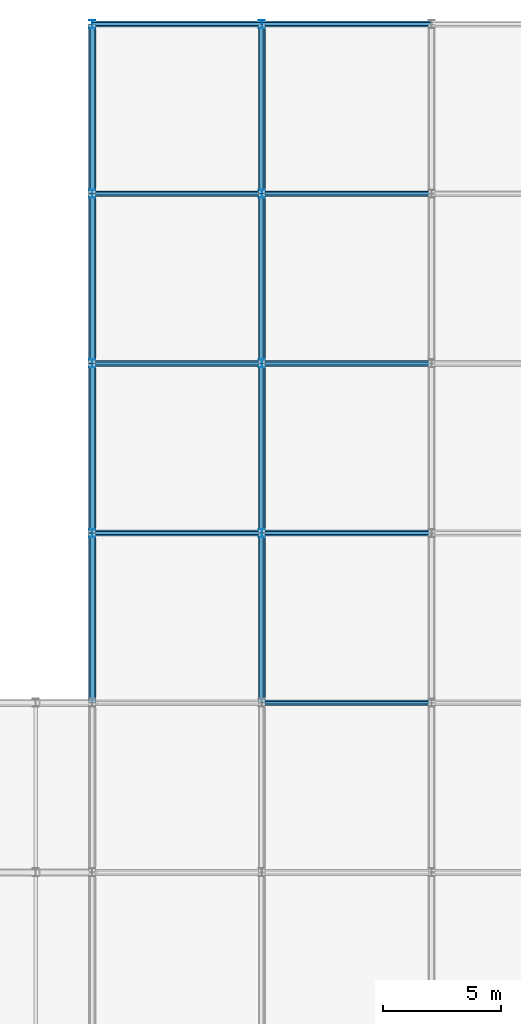
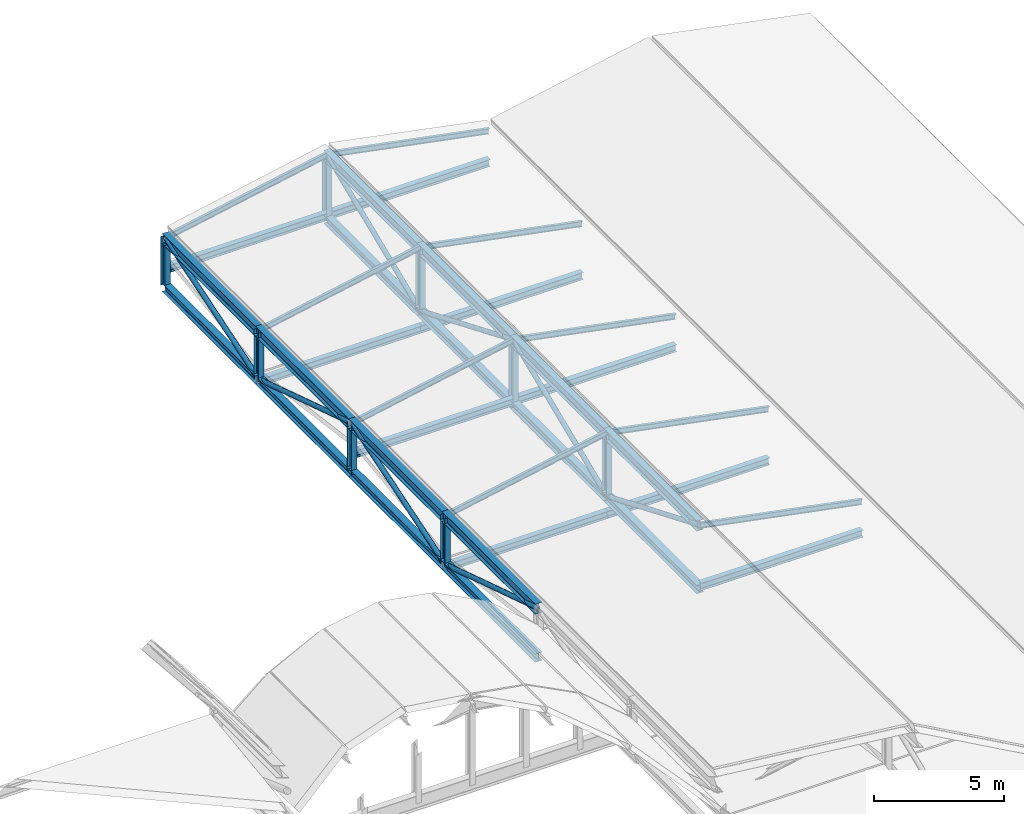
# One storey, part 36 of 60: 41 members, 9 beams.
"""IFC4 building model written with IfcOpenShell, lengths in metres."""

from ifc_helpers import new_model, si_unit, direction, frame, origin, origin_2d, place, context, subcontext, project, spatial, hollow_circle, i_section, extrude, material, material_profile, profile_set, type_object, element, save


model = new_model("IFC4")

# Units and contexts
model_context = context("Model", 3, precision=1e-05, world=origin(), true_north=direction((0.0, 1.0)))
body_context = subcontext(model_context, "Body", "Model", "MODEL_VIEW")
ifc_project = project(units=[si_unit("LENGTHUNIT", "METRE"), si_unit("AREAUNIT", "SQUARE_METRE"), si_unit("VOLUMEUNIT", "CUBIC_METRE"), si_unit("PLANEANGLEUNIT", "RADIAN"), si_unit("MASSUNIT", "GRAM", prefix="KILO")], contexts=[model_context])

# Site, building, storey
site_placement = place(None, origin())
site = spatial("IfcSite", under=ifc_project, at=site_placement, CompositionType="ELEMENT")
building_placement = place(site_placement, origin())
building = spatial("IfcBuilding", under=site, at=building_placement, Name="Vesperath Aquatics Centre", CompositionType="ELEMENT")
storey_placement = place(building_placement, frame((0.0, 0.0, 27.60009765625)))
storey = spatial("IfcBuildingStorey", under=building, at=storey_placement, Name="RF", CompositionType="ELEMENT", Elevation=27.60009765625)

# Beams
ifc_material_1 = material(Name="Steel Q355C", Category="steel")
ifc_material_profile_1 = material_profile(ifc_material_1, i_section(OverallWidth=0.25, OverallDepth=0.340087890625, WebThickness=0.009033203125, FlangeThickness=0.013916015625, FilletRadius=0.02001953125, at=origin_2d()), Name="HM 340x250x9x14")
ifc_profile_set_1 = profile_set([ifc_material_profile_1], Name="Steel Q355C")
beam_type_1 = type_object("IfcBeamType", Name="BM-RB04", PredefinedType="BEAM", material=ifc_profile_set_1)
for number, where, z_axis, x_axis, name in (
    (1, (115.199951171875, 93.60009765625, -12.60498046875), (1.0, 0.0, 0.0), (0.0, 1.0, 0.0), "Training Roof Support Beam B12 17-93.6"),
    (2, (115.199951171875, 108.0, -12.60498046875), (1.0, 0.0, 0.0), (0.0, 1.0, 0.0), "Training Roof Support Beam B12 17-108.0"),
):
    element("IfcBeam", number, at=place(storey_placement, frame(where, z_axis=z_axis, x_axis=x_axis)), inside=storey, type_object=beam_type_1, Name=name, PredefinedType="BEAM", context=body_context, shape_type="SweptSolid", body=[
        extrude(i_section(OverallWidth=0.25, OverallDepth=0.340087890625, WebThickness=0.009033203125, FlangeThickness=0.013916015625, FilletRadius=0.02001953125, at=origin_2d()), origin(), (0.0, 0.0, 1.0), 7.199951171875),
    ])
for number, where, z_axis, x_axis, name in (
    (3, (122.39990234375, 93.60009765625, -12.60498046875), (1.0, 0.0, 0.0), (0.0, 1.0, 0.0), "Training Roof Support Beam B12 18-93.6"),
    (4, (122.39990234375, 108.0, -12.60498046875), (1.0, 0.0, 0.0), (0.0, 1.0, 0.0), "Training Roof Support Beam B12 18-108.0"),
):
    element("IfcBeam", number, at=place(storey_placement, frame(where, z_axis=z_axis, x_axis=x_axis)), inside=storey, type_object=beam_type_1, Name=name, PredefinedType="BEAM", context=body_context, shape_type="SweptSolid", body=[
        extrude(i_section(OverallWidth=0.25, OverallDepth=0.340087890625, WebThickness=0.009033203125, FlangeThickness=0.013916015625, FilletRadius=0.02001953125, at=origin_2d()), origin(), (0.0, 0.0, 1.0), 7.2001953125),
    ])
ifc_material_profile_2 = material_profile(ifc_material_1, i_section(OverallWidth=0.25, OverallDepth=0.340087890625, WebThickness=0.009033203125, FlangeThickness=0.013916015625, FilletRadius=0.02001953125, at=origin_2d()), Name="HM 340x250x9x14")
ifc_profile_set_2 = profile_set([ifc_material_profile_2], Name="Steel Q355C")
beam_type_2 = type_object("IfcBeamType", Name="BM-RB05", PredefinedType="BEAM", material=ifc_profile_set_2)
for number, where, z_axis, x_axis, name in (
    (5, (115.199951171875, 100.800048828125, -11.644287109375), (1.0, 0.0, 0.0), (0.0, 1.0, 0.0), "Training Roof Support Beam B12 17-100.8"),
    (6, (115.199951171875, 115.199951171875, -11.644287109375), (1.0, 0.0, 0.0), (0.0, 1.0, 0.0), "Training Roof Support Beam B12 17-115.2"),
):
    element("IfcBeam", number, at=place(storey_placement, frame(where, z_axis=z_axis, x_axis=x_axis)), inside=storey, type_object=beam_type_2, Name=name, PredefinedType="BEAM", context=body_context, shape_type="SweptSolid", body=[
        extrude(i_section(OverallWidth=0.25, OverallDepth=0.340087890625, WebThickness=0.009033203125, FlangeThickness=0.013916015625, FilletRadius=0.02001953125, at=origin_2d()), origin(), (0.0, 0.0, 1.0), 7.199951171875),
    ])
for number, where, z_axis, x_axis, name in (
    (7, (122.39990234375, 86.39990234375, -11.644287109375), (1.0, 0.0, 0.0), (0.0, 1.0, 0.0), "Training Roof Support Beam B12 18-86.4"),
    (8, (122.39990234375, 100.800048828125, -11.644287109375), (1.0, 0.0, 0.0), (0.0, 1.0, 0.0), "Training Roof Support Beam B12 18-100.8"),
    (9, (122.39990234375, 115.199951171875, -11.644287109375), (1.0, 0.0, 0.0), (0.0, 1.0, 0.0), "Training Roof Support Beam B12 18-115.2"),
):
    element("IfcBeam", number, at=place(storey_placement, frame(where, z_axis=z_axis, x_axis=x_axis)), inside=storey, type_object=beam_type_2, Name=name, PredefinedType="BEAM", context=body_context, shape_type="SweptSolid", body=[
        extrude(i_section(OverallWidth=0.25, OverallDepth=0.340087890625, WebThickness=0.009033203125, FlangeThickness=0.013916015625, FilletRadius=0.02001953125, at=origin_2d()), origin(), (0.0, 0.0, 1.0), 7.2001953125),
    ])

# Members
ifc_material_2 = material(Name="Steel Q355D", Category="steel")
ifc_material_profile_3 = material_profile(ifc_material_2, i_section(OverallWidth=0.300048828125, OverallDepth=0.389892578125, WebThickness=0.010009765625, FlangeThickness=0.01611328125, FilletRadius=0.02197265625, at=origin_2d()), Name="HM 390x300x10x16")
ifc_profile_set_3 = profile_set([ifc_material_profile_3], Name="Steel Q355D")
member_type_1 = type_object("IfcMemberType", Name="MB-BC03", PredefinedType="CHORD", material=ifc_profile_set_3)
member_1_placement = place(storey_placement, frame((115.199951171875, 86.39990234375, -12.5), z_axis=(0.0, 1.0, 0.0), x_axis=(-1.0, 0.0, 0.0)))
element("IfcMember", 10, at=member_1_placement, inside=storey, type_object=member_type_1, Name="Training Hall ROOF TRUSS Bottom Chord BC03 G17-4", PredefinedType="CHORD", context=body_context, shape_type="SweptSolid", body=[
    extrude(i_section(OverallWidth=0.300048828125, OverallDepth=0.389892578125, WebThickness=0.010009765625, FlangeThickness=0.01611328125, FilletRadius=0.02197265625, at=origin_2d()), origin(), (0.0, 0.0, 1.0), 7.2001953125),
])
for number, where, z_axis, x_axis, name in (
    (11, (115.199951171875, 93.60009765625, -12.5), (0.0, 1.0, 0.0), (-1.0, 0.0, 0.0), "Training Hall ROOF TRUSS Bottom Chord BC03 G17-5"),
    (12, (115.199951171875, 100.800048828125, -12.5), (0.0, 1.0, 0.0), (-1.0, 0.0, 0.0), "Training Hall ROOF TRUSS Bottom Chord BC03 G17-6"),
    (13, (115.199951171875, 108.0, -12.5), (0.0, 1.0, 0.0), (-1.0, 0.0, 0.0), "Training Hall ROOF TRUSS Bottom Chord BC03 G17-7"),
):
    element("IfcMember", number, at=place(storey_placement, frame(where, z_axis=z_axis, x_axis=x_axis)), inside=storey, type_object=member_type_1, Name=name, PredefinedType="CHORD", context=body_context, shape_type="SweptSolid", body=[
        extrude(i_section(OverallWidth=0.300048828125, OverallDepth=0.389892578125, WebThickness=0.010009765625, FlangeThickness=0.01611328125, FilletRadius=0.02197265625, at=origin_2d()), origin(), (0.0, 0.0, 1.0), 7.199951171875),
    ])
member_2_placement = place(storey_placement, frame((122.39990234375, 86.39990234375, -11.800048828125), z_axis=(0.0, 1.0, 0.0), x_axis=(-1.0, 0.0, 0.0)))
element("IfcMember", 14, at=member_2_placement, inside=storey, type_object=member_type_1, Name="Training Hall ROOF TRUSS Bottom Chord BC03 G18-4", PredefinedType="CHORD", context=body_context, shape_type="SweptSolid", body=[
    extrude(i_section(OverallWidth=0.300048828125, OverallDepth=0.389892578125, WebThickness=0.010009765625, FlangeThickness=0.01611328125, FilletRadius=0.02197265625, at=origin_2d()), origin(), (0.0, 0.0, 1.0), 7.2001953125),
])
for number, where, z_axis, x_axis, name in (
    (15, (122.39990234375, 93.60009765625, -11.800048828125), (0.0, 1.0, 0.0), (-1.0, 0.0, 0.0), "Training Hall ROOF TRUSS Bottom Chord BC03 G18-5"),
    (16, (122.39990234375, 100.800048828125, -11.800048828125), (0.0, 1.0, 0.0), (-1.0, 0.0, 0.0), "Training Hall ROOF TRUSS Bottom Chord BC03 G18-6"),
    (17, (122.39990234375, 108.0, -11.800048828125), (0.0, 1.0, 0.0), (-1.0, 0.0, 0.0), "Training Hall ROOF TRUSS Bottom Chord BC03 G18-7"),
):
    element("IfcMember", number, at=place(storey_placement, frame(where, z_axis=z_axis, x_axis=x_axis)), inside=storey, type_object=member_type_1, Name=name, PredefinedType="CHORD", context=body_context, shape_type="SweptSolid", body=[
        extrude(i_section(OverallWidth=0.300048828125, OverallDepth=0.389892578125, WebThickness=0.010009765625, FlangeThickness=0.01611328125, FilletRadius=0.02197265625, at=origin_2d()), origin(), (0.0, 0.0, 1.0), 7.199951171875),
    ])
ifc_material_profile_4 = material_profile(ifc_material_1, i_section(OverallWidth=0.125, OverallDepth=0.25, WebThickness=0.006103515625, FlangeThickness=0.009033203125, FilletRadius=0.010009765625, at=origin_2d()), Name="HN 250x125x6x9")
ifc_profile_set_4 = profile_set([ifc_material_profile_4], Name="Steel Q355C")
member_type_2 = type_object("IfcMemberType", Name="MB-PR03", PredefinedType="PURLIN", material=ifc_profile_set_4)
for number, where, z_axis, x_axis, name in (
    (18, (115.199951171875, 93.60009765625, -10.2001953125), (0.98161140514, 0.0, 0.190890149825), (0.0, 1.0, 0.0), "Training Hall Roof Purlin PR03 17-5"),
    (19, (115.199951171875, 100.800048828125, -10.2001953125), (0.98161140514, 0.0, 0.190890149825), (0.0, 1.0, 0.0), "Training Hall Roof Purlin PR03 17-6"),
    (20, (115.199951171875, 108.0, -10.2001953125), (0.98161140514, 0.0, 0.190890149825), (0.0, 1.0, 0.0), "Training Hall Roof Purlin PR03 17-7"),
    (21, (115.199951171875, 115.199951171875, -10.2001953125), (0.98161140514, 0.0, 0.190890149825), (0.0, 1.0, 0.0), "Training Hall Roof Purlin PR03 17-8"),
):
    element("IfcMember", number, at=place(storey_placement, frame(where, z_axis=z_axis, x_axis=x_axis)), inside=storey, type_object=member_type_2, Name=name, PredefinedType="PURLIN", context=body_context, shape_type="SweptSolid", body=[
        extrude(i_section(OverallWidth=0.125, OverallDepth=0.25, WebThickness=0.006103515625, FlangeThickness=0.009033203125, FilletRadius=0.010009765625, at=origin_2d()), origin(), (0.0, 0.0, 1.0), 7.334716796875),
    ])
for number, where, z_axis, x_axis, name in (
    (22, (122.39990234375, 86.39990234375, -8.800048828125), (0.981612617958, 0.0, -0.190883913061), (0.0, 1.0, 0.0), "Training Hall Roof Purlin PR03 18-4"),
    (23, (122.39990234375, 93.60009765625, -8.800048828125), (0.981612617958, 0.0, -0.190883913061), (0.0, 1.0, 0.0), "Training Hall Roof Purlin PR03 18-5"),
    (24, (122.39990234375, 100.800048828125, -8.800048828125), (0.981612617958, 0.0, -0.190883913061), (0.0, 1.0, 0.0), "Training Hall Roof Purlin PR03 18-6"),
    (25, (122.39990234375, 108.0, -8.800048828125), (0.981612617958, 0.0, -0.190883913061), (0.0, 1.0, 0.0), "Training Hall Roof Purlin PR03 18-7"),
    (26, (122.39990234375, 115.199951171875, -8.800048828125), (0.981612617958, 0.0, -0.190883913061), (0.0, 1.0, 0.0), "Training Hall Roof Purlin PR03 18-8"),
):
    element("IfcMember", number, at=place(storey_placement, frame(where, z_axis=z_axis, x_axis=x_axis)), inside=storey, type_object=member_type_2, Name=name, PredefinedType="PURLIN", context=body_context, shape_type="SweptSolid", body=[
        extrude(i_section(OverallWidth=0.125, OverallDepth=0.25, WebThickness=0.006103515625, FlangeThickness=0.009033203125, FilletRadius=0.010009765625, at=origin_2d()), origin(), (0.0, 0.0, 1.0), 7.3349609375),
    ])
ifc_material_profile_5 = material_profile(ifc_material_2, i_section(OverallWidth=0.300048828125, OverallDepth=0.488037109375, WebThickness=0.010986328125, FlangeThickness=0.01806640625, FilletRadius=0.02587890625, at=origin_2d()), Name="HM 488x300x11x18")
ifc_profile_set_5 = profile_set([ifc_material_profile_5], Name="Steel Q355D")
member_type_3 = type_object("IfcMemberType", Name="MB-TC04", PredefinedType="CHORD", material=ifc_profile_set_5)
member_3_placement = place(storey_placement, frame((115.199951171875, 86.39990234375, -10.2001953125), z_axis=(0.0, 1.0, 0.0), x_axis=(-1.0, 0.0, 0.0)))
element("IfcMember", 27, at=member_3_placement, inside=storey, type_object=member_type_3, Name="Training Hall ROOF TRUSS Top Chord TC04 G17-4", PredefinedType="CHORD", context=body_context, shape_type="SweptSolid", body=[
    extrude(i_section(OverallWidth=0.300048828125, OverallDepth=0.488037109375, WebThickness=0.010986328125, FlangeThickness=0.01806640625, FilletRadius=0.02587890625, at=origin_2d()), origin(), (0.0, 0.0, 1.0), 7.2001953125),
])
for number, where, z_axis, x_axis, name in (
    (28, (115.199951171875, 93.60009765625, -10.2001953125), (0.0, 1.0, 0.0), (-1.0, 0.0, 0.0), "Training Hall ROOF TRUSS Top Chord TC04 G17-5"),
    (29, (115.199951171875, 100.800048828125, -10.2001953125), (0.0, 1.0, 0.0), (-1.0, 0.0, 0.0), "Training Hall ROOF TRUSS Top Chord TC04 G17-6"),
    (30, (115.199951171875, 108.0, -10.2001953125), (0.0, 1.0, 0.0), (-1.0, 0.0, 0.0), "Training Hall ROOF TRUSS Top Chord TC04 G17-7"),
):
    element("IfcMember", number, at=place(storey_placement, frame(where, z_axis=z_axis, x_axis=x_axis)), inside=storey, type_object=member_type_3, Name=name, PredefinedType="CHORD", context=body_context, shape_type="SweptSolid", body=[
        extrude(i_section(OverallWidth=0.300048828125, OverallDepth=0.488037109375, WebThickness=0.010986328125, FlangeThickness=0.01806640625, FilletRadius=0.02587890625, at=origin_2d()), origin(), (0.0, 0.0, 1.0), 7.199951171875),
    ])
member_4_placement = place(storey_placement, frame((122.39990234375, 86.39990234375, -8.800048828125), z_axis=(0.0, 1.0, 0.0), x_axis=(-1.0, 0.0, 0.0)))
element("IfcMember", 31, at=member_4_placement, inside=storey, type_object=member_type_3, Name="Training Hall ROOF TRUSS Top Chord TC04 G18-4", PredefinedType="CHORD", context=body_context, shape_type="SweptSolid", body=[
    extrude(i_section(OverallWidth=0.300048828125, OverallDepth=0.488037109375, WebThickness=0.010986328125, FlangeThickness=0.01806640625, FilletRadius=0.02587890625, at=origin_2d()), origin(), (0.0, 0.0, 1.0), 7.2001953125),
])
for number, where, z_axis, x_axis, name in (
    (32, (122.39990234375, 93.60009765625, -8.800048828125), (0.0, 1.0, 0.0), (-1.0, 0.0, 0.0), "Training Hall ROOF TRUSS Top Chord TC04 G18-5"),
    (33, (122.39990234375, 100.800048828125, -8.800048828125), (0.0, 1.0, 0.0), (-1.0, 0.0, 0.0), "Training Hall ROOF TRUSS Top Chord TC04 G18-6"),
    (34, (122.39990234375, 108.0, -8.800048828125), (0.0, 1.0, 0.0), (-1.0, 0.0, 0.0), "Training Hall ROOF TRUSS Top Chord TC04 G18-7"),
):
    element("IfcMember", number, at=place(storey_placement, frame(where, z_axis=z_axis, x_axis=x_axis)), inside=storey, type_object=member_type_3, Name=name, PredefinedType="CHORD", context=body_context, shape_type="SweptSolid", body=[
        extrude(i_section(OverallWidth=0.300048828125, OverallDepth=0.488037109375, WebThickness=0.010986328125, FlangeThickness=0.01806640625, FilletRadius=0.02587890625, at=origin_2d()), origin(), (0.0, 0.0, 1.0), 7.199951171875),
    ])
ifc_material_profile_6 = material_profile(ifc_material_2, hollow_circle(Radius=0.109619140625, WallThickness=0.010009765625, at=origin_2d()), Name="CHS 219.1x10")
ifc_profile_set_6 = profile_set([ifc_material_profile_6], Name="Steel Q355D")
member_type_4 = type_object("IfcMemberType", Name="MB-TD04", PredefinedType="BRACE", material=ifc_profile_set_6)
member_5_placement = place(storey_placement, frame((115.199951171875, 86.476318359375, -10.224365234375), z_axis=(0.0, 0.952568874262, -0.304323084544), x_axis=(-1.0, 0.0, 0.0)))
element("IfcMember", 35, at=member_5_placement, inside=storey, type_object=member_type_4, Name="Training Hall ROOF TRUSS Diagonal TD04 G17-4", PredefinedType="BRACE", context=body_context, shape_type="SweptSolid", body=[
    extrude(hollow_circle(Radius=0.109619140625, WallThickness=0.010009765625, at=origin_2d()), origin(), (0.0, 0.0, 1.0), 7.398193359375),
])
for number, where, z_axis, x_axis, name in (
    (36, (115.199951171875, 93.67626953125, -12.475830078125), (0.0, 0.952571930303, 0.304313518594), (-1.0, 0.0, 0.0), "Training Hall ROOF TRUSS Diagonal TD04 G17-5"),
    (37, (115.199951171875, 100.876220703125, -10.224365234375), (0.0, 0.952571930303, -0.304313518594), (-1.0, 0.0, 0.0), "Training Hall ROOF TRUSS Diagonal TD04 G17-6"),
    (38, (115.199951171875, 108.076171875, -12.475830078125), (0.0, 0.952571930303, 0.304313518594), (-1.0, 0.0, 0.0), "Training Hall ROOF TRUSS Diagonal TD04 G17-7"),
):
    element("IfcMember", number, at=place(storey_placement, frame(where, z_axis=z_axis, x_axis=x_axis)), inside=storey, type_object=member_type_4, Name=name, PredefinedType="BRACE", context=body_context, shape_type="SweptSolid", body=[
        extrude(hollow_circle(Radius=0.109619140625, WallThickness=0.010009765625, at=origin_2d()), origin(), (0.0, 0.0, 1.0), 7.3984375),
    ])
for number, where, z_axis, x_axis, name in (
    (39, (122.39990234375, 86.473876953125, -8.830810546875), (0.0, 0.92307503219, -0.384619922711), (-1.0, 0.0, 0.0), "Training Hall ROOF TRUSS Diagonal TD04 G18-4"),
    (40, (122.39990234375, 93.673828125, -11.769287109375), (0.0, 0.92307503219, 0.384619922711), (-1.0, 0.0, 0.0), "Training Hall ROOF TRUSS Diagonal TD04 G18-5"),
):
    element("IfcMember", number, at=place(storey_placement, frame(where, z_axis=z_axis, x_axis=x_axis)), inside=storey, type_object=member_type_4, Name=name, PredefinedType="BRACE", context=body_context, shape_type="SweptSolid", body=[
        extrude(hollow_circle(Radius=0.109619140625, WallThickness=0.010009765625, at=origin_2d()), origin(), (0.0, 0.0, 1.0), 7.639892578125),
    ])
for number, where, z_axis, x_axis, name in (
    (41, (122.39990234375, 100.873779296875, -8.830810546875), (0.0, 0.923079759281, -0.384608577655), (-1.0, 0.0, 0.0), "Training Hall ROOF TRUSS Diagonal TD04 G18-6"),
    (42, (122.39990234375, 108.07373046875, -11.769287109375), (0.0, 0.923079759281, 0.384608577655), (-1.0, 0.0, 0.0), "Training Hall ROOF TRUSS Diagonal TD04 G18-7"),
):
    element("IfcMember", number, at=place(storey_placement, frame(where, z_axis=z_axis, x_axis=x_axis)), inside=storey, type_object=member_type_4, Name=name, PredefinedType="BRACE", context=body_context, shape_type="SweptSolid", body=[
        extrude(hollow_circle(Radius=0.109619140625, WallThickness=0.010009765625, at=origin_2d()), origin(), (0.0, 0.0, 1.0), 7.64013671875),
    ])
ifc_material_profile_7 = material_profile(ifc_material_2, i_section(OverallWidth=0.25, OverallDepth=0.340087890625, WebThickness=0.009033203125, FlangeThickness=0.013916015625, FilletRadius=0.02001953125, at=origin_2d()), Name="HM 340x250x9x14")
ifc_profile_set_7 = profile_set([ifc_material_profile_7], Name="Steel Q355D")
member_type_5 = type_object("IfcMemberType", Name="MB-TP02", PredefinedType="POST", material=ifc_profile_set_7)
for number, where, z_axis, x_axis, name in (
    (43, (115.199951171875, 93.60009765625, -12.5), (0.0, 0.0, 1.0), (1.0, 0.0, 0.0), "Training Hall ROOF TRUSS Post TP02 G17-5"),
    (44, (115.199951171875, 100.800048828125, -12.5), (0.0, 0.0, 1.0), (1.0, 0.0, 0.0), "Training Hall ROOF TRUSS Post TP02 G17-6"),
    (45, (115.199951171875, 108.0, -12.5), (0.0, 0.0, 1.0), (1.0, 0.0, 0.0), "Training Hall ROOF TRUSS Post TP02 G17-7"),
    (46, (115.199951171875, 115.199951171875, -12.5), (0.0, 0.0, 1.0), (1.0, 0.0, 0.0), "Training Hall ROOF TRUSS Post TP02 G17-8"),
):
    element("IfcMember", number, at=place(storey_placement, frame(where, z_axis=z_axis, x_axis=x_axis)), inside=storey, type_object=member_type_5, Name=name, PredefinedType="POST", context=body_context, shape_type="SweptSolid", body=[
        extrude(i_section(OverallWidth=0.25, OverallDepth=0.340087890625, WebThickness=0.009033203125, FlangeThickness=0.013916015625, FilletRadius=0.02001953125, at=origin_2d()), origin(), (0.0, 0.0, 1.0), 2.2998046875),
    ])
for number, where, z_axis, x_axis, name in (
    (47, (122.39990234375, 93.60009765625, -11.800048828125), (0.0, 0.0, 1.0), (1.0, 0.0, 0.0), "Training Hall ROOF TRUSS Post TP02 G18-5"),
    (48, (122.39990234375, 100.800048828125, -11.800048828125), (0.0, 0.0, 1.0), (1.0, 0.0, 0.0), "Training Hall ROOF TRUSS Post TP02 G18-6"),
    (49, (122.39990234375, 108.0, -11.800048828125), (0.0, 0.0, 1.0), (1.0, 0.0, 0.0), "Training Hall ROOF TRUSS Post TP02 G18-7"),
    (50, (122.39990234375, 115.199951171875, -11.800048828125), (0.0, 0.0, 1.0), (1.0, 0.0, 0.0), "Training Hall ROOF TRUSS Post TP02 G18-8"),
):
    element("IfcMember", number, at=place(storey_placement, frame(where, z_axis=z_axis, x_axis=x_axis)), inside=storey, type_object=member_type_5, Name=name, PredefinedType="POST", context=body_context, shape_type="SweptSolid", body=[
        extrude(i_section(OverallWidth=0.25, OverallDepth=0.340087890625, WebThickness=0.009033203125, FlangeThickness=0.013916015625, FilletRadius=0.02001953125, at=origin_2d()), origin(), (0.0, 0.0, 1.0), 3.0),
    ])

save(model, "model.ifc")
